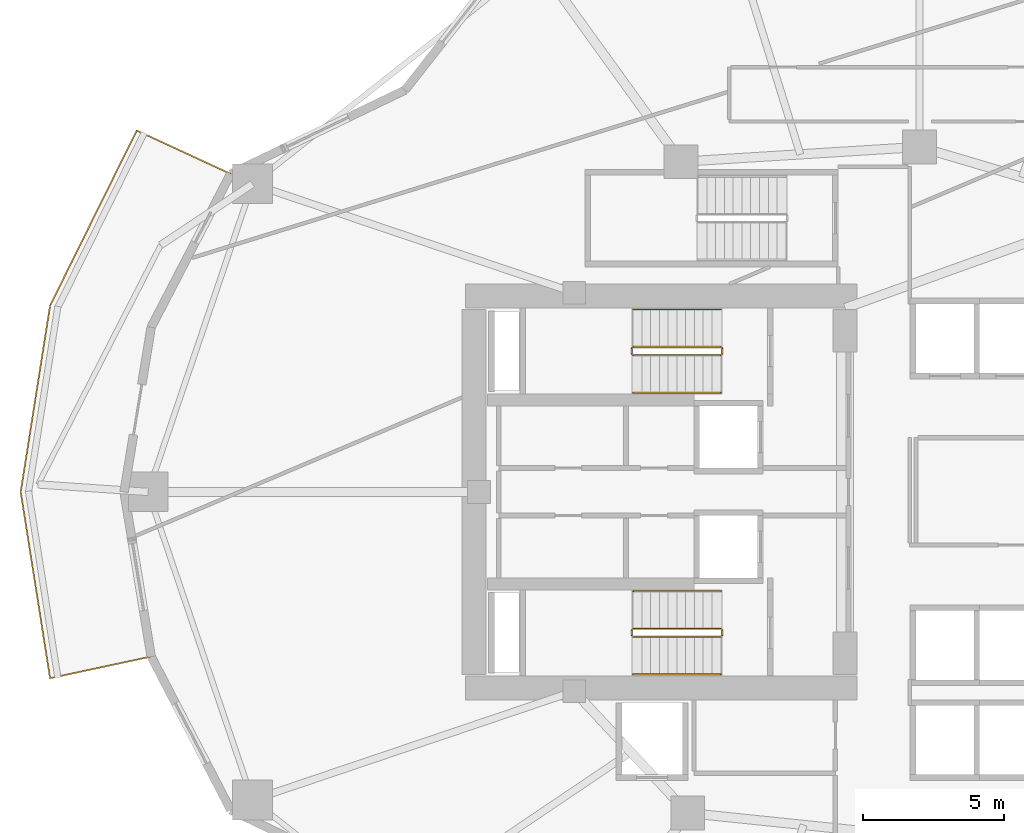
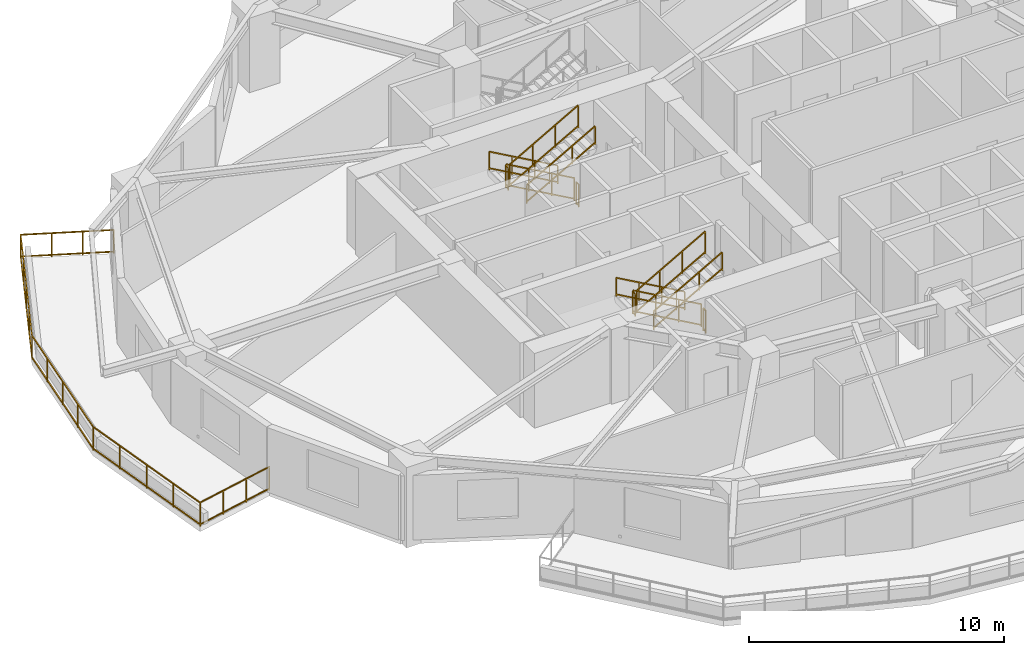
# One storey, part 11 of 14: 13 railings.
"""IFC4 building model written with IfcOpenShell, lengths in metres."""

from ifc_helpers import new_model, si_unit, direction, frame, origin, origin_2d, place, context, subcontext, project, spatial, rectangle, extrude, material, type_object, element, save


model = new_model("IFC4")

# Units and contexts
model_context = context("Model", 3, precision=1e-05, world=origin(), true_north=direction((0.0, 1.0)))
body_context = subcontext(model_context, "Body", "Model", "MODEL_VIEW")
ifc_project = project(units=[si_unit("LENGTHUNIT", "METRE"), si_unit("AREAUNIT", "SQUARE_METRE"), si_unit("VOLUMEUNIT", "CUBIC_METRE"), si_unit("PLANEANGLEUNIT", "RADIAN"), si_unit("MASSUNIT", "GRAM", prefix="KILO")], contexts=[model_context])

# Site, building, storey
site_placement = place(None, origin())
site = spatial("IfcSite", under=ifc_project, at=site_placement, CompositionType="ELEMENT")
building_placement = place(site_placement, origin())
building = spatial("IfcBuilding", under=site, at=building_placement, Name="Kolvaren Gate Tower and Convention Centre", CompositionType="ELEMENT")
storey_placement = place(building_placement, frame((0.0, 0.0, 41.89990234375)))
storey = spatial("IfcBuildingStorey", under=building, at=storey_placement, Name="L09", CompositionType="ELEMENT", Elevation=41.89990234375)

# Railings
ifc_material = material(Name="Brushed Stainless Steel Grade 316L", Category="steel")
railing_type_1 = type_object("IfcRailingType", Name="ARCH-RL-GUARD-1150", PredefinedType="GUARDRAIL", material=ifc_material)
railing_1_placement = place(storey_placement, frame((23.10009765625, 32.1298828125, 0.175048828125)))
element("IfcRailing", 1, at=railing_1_placement, inside=storey, type_object=railing_type_1, Name="L09 ST-T1 stair guard 1", PredefinedType="GUARDRAIL", context=body_context, shape_type="SweptSolid", body=[
    extrude(rectangle(XDim=0.048095703125, YDim=0.048095703125, at=origin_2d()), frame((0.0, 0.0, 1.076171875), z_axis=(-0.870830938388, 0.0, 0.491582624537), x_axis=(0.0, -1.0, 0.0)), (0.0, 0.0, 1.0), 3.559814453125),
    extrude(rectangle(XDim=0.048095703125, YDim=0.048095703125, at=origin_2d()), frame((0.0, 0.0, 0.083984375), z_axis=(-0.870830938388, 0.0, 0.491582624537), x_axis=(0.0, -1.0, 0.0)), (0.0, 0.0, 1.0), 3.559814453125),
    extrude(rectangle(XDim=0.0419921875, YDim=0.0419921875, at=origin_2d()), origin(), (0.0, 0.0, 1.0), 1.050048828125),
    extrude(rectangle(XDim=0.0419921875, YDim=0.0419921875, at=origin_2d()), frame((-3.10009765625, 0.0, 1.75)), (0.0, 0.0, 1.0), 1.050048828125),
    extrude(rectangle(XDim=0.0419921875, YDim=0.0419921875, at=origin_2d()), frame((-1.033447265625, 0.0, 0.583251953125)), (0.0, 0.0, 1.0), 1.050048828125),
    extrude(rectangle(XDim=0.0419921875, YDim=0.0419921875, at=origin_2d()), frame((-2.066650390625, 0.0, 1.166748046875)), (0.0, 0.0, 1.0), 1.050048828125),
])
railing_2_placement = place(storey_placement, frame((19.949951171875, 32.080078125, 1.925048828125)))
element("IfcRailing", 2, at=railing_2_placement, inside=storey, type_object=railing_type_1, Name="L09 ST-T1 stair guard 2", PredefinedType="GUARDRAIL", context=body_context, shape_type="SweptSolid", body=[
    extrude(rectangle(XDim=0.048095703125, YDim=0.048095703125, at=origin_2d()), frame((0.0, 0.0, 1.076171875), z_axis=(0.0, -1.0, 0.0), x_axis=(1.0, 0.0, 0.0)), (0.0, 0.0, 1.0), 0.2001953125),
    extrude(rectangle(XDim=0.048095703125, YDim=0.048095703125, at=origin_2d()), frame((0.0, 0.0, 0.083984375), z_axis=(0.0, -1.0, 0.0), x_axis=(1.0, 0.0, 0.0)), (0.0, 0.0, 1.0), 0.2001953125),
    extrude(rectangle(XDim=0.0419921875, YDim=0.0419921875, at=origin_2d()), origin(), (0.0, 0.0, 1.0), 1.050048828125),
    extrude(rectangle(XDim=0.0419921875, YDim=0.0419921875, at=origin_2d()), frame((0.0, -0.2001953125, 0.0)), (0.0, 0.0, 1.0), 1.050048828125),
])
railing_3_placement = place(storey_placement, frame((20.0, 31.830078125, 2.10009765625)))
element("IfcRailing", 3, at=railing_3_placement, inside=storey, type_object=railing_type_1, Name="L09 ST-T1 stair guard 3", PredefinedType="GUARDRAIL", context=body_context, shape_type="SweptSolid", body=[
    extrude(rectangle(XDim=0.048095703125, YDim=0.048095703125, at=origin_2d()), frame((0.0, 0.0, 1.076171875), z_axis=(0.870830938388, 0.0, 0.491582624537), x_axis=(0.0, 1.0, 0.0)), (0.0, 0.0, 1.0), 3.559814453125),
    extrude(rectangle(XDim=0.048095703125, YDim=0.048095703125, at=origin_2d()), frame((0.0, 0.0, 0.083984375), z_axis=(0.870830938388, 0.0, 0.491582624537), x_axis=(0.0, 1.0, 0.0)), (0.0, 0.0, 1.0), 3.559814453125),
    extrude(rectangle(XDim=0.0419921875, YDim=0.0419921875, at=origin_2d()), origin(), (0.0, 0.0, 1.0), 1.050048828125),
    extrude(rectangle(XDim=0.0419921875, YDim=0.0419921875, at=origin_2d()), frame((3.10009765625, 0.0, 1.75)), (0.0, 0.0, 1.0), 1.050048828125),
    extrude(rectangle(XDim=0.0419921875, YDim=0.0419921875, at=origin_2d()), frame((1.033447265625, 0.0, 0.583251953125)), (0.0, 0.0, 1.0), 1.050048828125),
    extrude(rectangle(XDim=0.0419921875, YDim=0.0419921875, at=origin_2d()), frame((2.066650390625, 0.0, 1.166748046875)), (0.0, 0.0, 1.0), 1.050048828125),
])
railing_4_placement = place(storey_placement, frame((23.14990234375, 32.080078125, 0.0)))
element("IfcRailing", 4, at=railing_4_placement, inside=storey, type_object=railing_type_1, Name="L09 ST-T1 stair guard 4", PredefinedType="GUARDRAIL", context=body_context, shape_type="SweptSolid", body=[
    extrude(rectangle(XDim=0.048095703125, YDim=0.048095703125, at=origin_2d()), frame((0.0, 0.0, 1.076171875), z_axis=(0.0, -1.0, 0.0), x_axis=(1.0, 0.0, 0.0)), (0.0, 0.0, 1.0), 0.2001953125),
    extrude(rectangle(XDim=0.048095703125, YDim=0.048095703125, at=origin_2d()), frame((0.0, 0.0, 0.083984375), z_axis=(0.0, -1.0, 0.0), x_axis=(1.0, 0.0, 0.0)), (0.0, 0.0, 1.0), 0.2001953125),
    extrude(rectangle(XDim=0.0419921875, YDim=0.0419921875, at=origin_2d()), origin(), (0.0, 0.0, 1.0), 1.050048828125),
    extrude(rectangle(XDim=0.0419921875, YDim=0.0419921875, at=origin_2d()), frame((0.0, -0.2001953125, 0.0)), (0.0, 0.0, 1.0), 1.050048828125),
])
railing_5_placement = place(storey_placement, frame((23.10009765625, 22.169921875, 0.175048828125)))
element("IfcRailing", 5, at=railing_5_placement, inside=storey, type_object=railing_type_1, Name="L09 ST-T2 stair guard 1", PredefinedType="GUARDRAIL", context=body_context, shape_type="SweptSolid", body=[
    extrude(rectangle(XDim=0.048095703125, YDim=0.048095703125, at=origin_2d()), frame((0.0, 0.0, 1.076171875), z_axis=(-0.870830938388, 0.0, 0.491582624537), x_axis=(0.0, -1.0, 0.0)), (0.0, 0.0, 1.0), 3.559814453125),
    extrude(rectangle(XDim=0.048095703125, YDim=0.048095703125, at=origin_2d()), frame((0.0, 0.0, 0.083984375), z_axis=(-0.870830938388, 0.0, 0.491582624537), x_axis=(0.0, -1.0, 0.0)), (0.0, 0.0, 1.0), 3.559814453125),
    extrude(rectangle(XDim=0.0419921875, YDim=0.0419921875, at=origin_2d()), origin(), (0.0, 0.0, 1.0), 1.050048828125),
    extrude(rectangle(XDim=0.0419921875, YDim=0.0419921875, at=origin_2d()), frame((-3.10009765625, 0.0, 1.75)), (0.0, 0.0, 1.0), 1.050048828125),
    extrude(rectangle(XDim=0.0419921875, YDim=0.0419921875, at=origin_2d()), frame((-1.033447265625, 0.0, 0.583251953125)), (0.0, 0.0, 1.0), 1.050048828125),
    extrude(rectangle(XDim=0.0419921875, YDim=0.0419921875, at=origin_2d()), frame((-2.066650390625, 0.0, 1.166748046875)), (0.0, 0.0, 1.0), 1.050048828125),
])
railing_6_placement = place(storey_placement, frame((19.949951171875, 22.1201171875, 1.925048828125)))
element("IfcRailing", 6, at=railing_6_placement, inside=storey, type_object=railing_type_1, Name="L09 ST-T2 stair guard 2", PredefinedType="GUARDRAIL", context=body_context, shape_type="SweptSolid", body=[
    extrude(rectangle(XDim=0.048095703125, YDim=0.048095703125, at=origin_2d()), frame((0.0, 0.0, 1.076171875), z_axis=(0.0, -1.0, 0.0), x_axis=(1.0, 0.0, 0.0)), (0.0, 0.0, 1.0), 0.2001953125),
    extrude(rectangle(XDim=0.048095703125, YDim=0.048095703125, at=origin_2d()), frame((0.0, 0.0, 0.083984375), z_axis=(0.0, -1.0, 0.0), x_axis=(1.0, 0.0, 0.0)), (0.0, 0.0, 1.0), 0.2001953125),
    extrude(rectangle(XDim=0.0419921875, YDim=0.0419921875, at=origin_2d()), origin(), (0.0, 0.0, 1.0), 1.050048828125),
    extrude(rectangle(XDim=0.0419921875, YDim=0.0419921875, at=origin_2d()), frame((0.0, -0.2001953125, 0.0)), (0.0, 0.0, 1.0), 1.050048828125),
])
railing_7_placement = place(storey_placement, frame((20.0, 21.8701171875, 2.10009765625)))
element("IfcRailing", 7, at=railing_7_placement, inside=storey, type_object=railing_type_1, Name="L09 ST-T2 stair guard 3", PredefinedType="GUARDRAIL", context=body_context, shape_type="SweptSolid", body=[
    extrude(rectangle(XDim=0.048095703125, YDim=0.048095703125, at=origin_2d()), frame((0.0, 0.0, 1.076171875), z_axis=(0.870830938388, 0.0, 0.491582624537), x_axis=(0.0, 1.0, 0.0)), (0.0, 0.0, 1.0), 3.559814453125),
    extrude(rectangle(XDim=0.048095703125, YDim=0.048095703125, at=origin_2d()), frame((0.0, 0.0, 0.083984375), z_axis=(0.870830938388, 0.0, 0.491582624537), x_axis=(0.0, 1.0, 0.0)), (0.0, 0.0, 1.0), 3.559814453125),
    extrude(rectangle(XDim=0.0419921875, YDim=0.0419921875, at=origin_2d()), origin(), (0.0, 0.0, 1.0), 1.050048828125),
    extrude(rectangle(XDim=0.0419921875, YDim=0.0419921875, at=origin_2d()), frame((3.10009765625, 0.0, 1.75)), (0.0, 0.0, 1.0), 1.050048828125),
    extrude(rectangle(XDim=0.0419921875, YDim=0.0419921875, at=origin_2d()), frame((1.033447265625, 0.0, 0.583251953125)), (0.0, 0.0, 1.0), 1.050048828125),
    extrude(rectangle(XDim=0.0419921875, YDim=0.0419921875, at=origin_2d()), frame((2.066650390625, 0.0, 1.166748046875)), (0.0, 0.0, 1.0), 1.050048828125),
])
railing_8_placement = place(storey_placement, frame((23.14990234375, 22.1201171875, 0.0)))
element("IfcRailing", 8, at=railing_8_placement, inside=storey, type_object=railing_type_1, Name="L09 ST-T2 stair guard 4", PredefinedType="GUARDRAIL", context=body_context, shape_type="SweptSolid", body=[
    extrude(rectangle(XDim=0.048095703125, YDim=0.048095703125, at=origin_2d()), frame((0.0, 0.0, 1.076171875), z_axis=(0.0, -1.0, 0.0), x_axis=(1.0, 0.0, 0.0)), (0.0, 0.0, 1.0), 0.2001953125),
    extrude(rectangle(XDim=0.048095703125, YDim=0.048095703125, at=origin_2d()), frame((0.0, 0.0, 0.083984375), z_axis=(0.0, -1.0, 0.0), x_axis=(1.0, 0.0, 0.0)), (0.0, 0.0, 1.0), 0.2001953125),
    extrude(rectangle(XDim=0.0419921875, YDim=0.0419921875, at=origin_2d()), origin(), (0.0, 0.0, 1.0), 1.050048828125),
    extrude(rectangle(XDim=0.0419921875, YDim=0.0419921875, at=origin_2d()), frame((0.0, -0.2001953125, 0.0)), (0.0, 0.0, 1.0), 1.050048828125),
])
railing_9_placement = place(storey_placement, frame((5.76806640625, 38.25, 0.0)))
element("IfcRailing", 9, at=railing_9_placement, inside=storey, type_object=railing_type_1, Name="Tower L09 Terrace Perimeter Guardrail GR-2", PredefinedType="GUARDRAIL", context=body_context, shape_type="SweptSolid", body=[
    extrude(rectangle(XDim=0.048095703125, YDim=0.048095703125, at=origin_2d()), frame((-0.025390625, 0.01171875, 1.1259765625), z_axis=(-0.907846116663, 0.419303503993, 0.0), x_axis=(-0.419303503993, -0.907846116663, 0.0)), (0.0, 0.0, 1.0), 3.60400390625),
    extrude(rectangle(XDim=0.048095703125, YDim=0.048095703125, at=origin_2d()), frame((-0.025390625, 0.01171875, 0.083984375), z_axis=(-0.907846116663, 0.419303503993, 0.0), x_axis=(-0.419303503993, -0.907846116663, 0.0)), (0.0, 0.0, 1.0), 3.60400390625),
    extrude(rectangle(XDim=0.048095703125, YDim=0.048095703125, at=origin_2d()), frame((-3.335205078125, 1.509521484375, 1.1259765625), z_axis=(-0.443578479433, -0.8962355341, 0.0), x_axis=(0.8962355341, -0.443578479433, 0.0)), (0.0, 0.0, 1.0), 6.855224609375),
    extrude(rectangle(XDim=0.048095703125, YDim=0.048095703125, at=origin_2d()), frame((-3.335205078125, 1.509521484375, 0.083984375), z_axis=(-0.443578479433, -0.8962355341, 0.0), x_axis=(0.8962355341, -0.443578479433, 0.0)), (0.0, 0.0, 1.0), 6.855224609375),
    extrude(rectangle(XDim=0.048095703125, YDim=0.048095703125, at=origin_2d()), frame((-6.392822265625, -4.68701171875, 1.1259765625), z_axis=(-0.155806612617, -0.987787578108, 0.0), x_axis=(0.987787578108, -0.155806612617, 0.0)), (0.0, 0.0, 1.0), 6.615966796875),
    extrude(rectangle(XDim=0.048095703125, YDim=0.048095703125, at=origin_2d()), frame((-6.392822265625, -4.68701171875, 0.083984375), z_axis=(-0.155806612617, -0.987787578108, 0.0), x_axis=(0.987787578108, -0.155806612617, 0.0)), (0.0, 0.0, 1.0), 6.615966796875),
    extrude(rectangle(XDim=0.048095703125, YDim=0.048095703125, at=origin_2d()), frame((-7.423583984375, -11.277587890625, 1.1259765625), z_axis=(0.155806612617, -0.987787578108, 0.0), x_axis=(0.987787578108, 0.155806612617, 0.0)), (0.0, 0.0, 1.0), 6.615966796875),
    extrude(rectangle(XDim=0.048095703125, YDim=0.048095703125, at=origin_2d()), frame((-7.423583984375, -11.277587890625, 0.083984375), z_axis=(0.155806612617, -0.987787578108, 0.0), x_axis=(0.987787578108, 0.155806612617, 0.0)), (0.0, 0.0, 1.0), 6.615966796875),
    extrude(rectangle(XDim=0.048095703125, YDim=0.048095703125, at=origin_2d()), frame((-6.361083984375, -17.834716796875, 1.1259765625), z_axis=(0.977788745232, 0.209592866525, 0.0), x_axis=(-0.209592866525, 0.977788745232, 0.0)), (0.0, 0.0, 1.0), 3.603759765625),
    extrude(rectangle(XDim=0.048095703125, YDim=0.048095703125, at=origin_2d()), frame((-6.361083984375, -17.834716796875, 0.083984375), z_axis=(0.977788745232, 0.209592866525, 0.0), x_axis=(-0.209592866525, 0.977788745232, 0.0)), (0.0, 0.0, 1.0), 3.603759765625),
    extrude(rectangle(XDim=0.0419921875, YDim=0.0419921875, at=origin_2d()), origin(), (0.0, 0.0, 1.0), 1.14990234375),
    extrude(rectangle(XDim=0.0419921875, YDim=0.0419921875, at=origin_2d()), frame((-3.32275390625, 1.53466796875, 0.0)), (0.0, 0.0, 1.0), 1.14990234375),
    extrude(rectangle(XDim=0.0419921875, YDim=0.0419921875, at=origin_2d()), frame((-1.107666015625, 0.511474609375, 0.0)), (0.0, 0.0, 1.0), 1.099853515625),
    extrude(rectangle(XDim=0.0419921875, YDim=0.0419921875, at=origin_2d()), frame((-2.215087890625, 1.023193359375, 0.0)), (0.0, 0.0, 1.0), 1.099853515625),
    extrude(rectangle(XDim=0.0419921875, YDim=0.0419921875, at=origin_2d()), frame((-6.388427734375, -4.659423828125, 0.0)), (0.0, 0.0, 1.0), 1.14990234375),
    extrude(rectangle(XDim=0.0419921875, YDim=0.0419921875, at=origin_2d()), frame((-4.089111328125, -0.013916015625, 0.0)), (0.0, 0.0, 1.0), 1.099853515625),
    extrude(rectangle(XDim=0.0419921875, YDim=0.0419921875, at=origin_2d()), frame((-4.85546875, -1.5625, 0.0)), (0.0, 0.0, 1.0), 1.099853515625),
    extrude(rectangle(XDim=0.0419921875, YDim=0.0419921875, at=origin_2d()), frame((-5.6220703125, -3.11083984375, 0.0)), (0.0, 0.0, 1.0), 1.099853515625),
    extrude(rectangle(XDim=0.0419921875, YDim=0.0419921875, at=origin_2d()), frame((-7.427978515625, -11.25, 0.0)), (0.0, 0.0, 1.0), 1.14990234375),
    extrude(rectangle(XDim=0.0419921875, YDim=0.0419921875, at=origin_2d()), frame((-6.6484375, -6.30712890625, 0.0)), (0.0, 0.0, 1.0), 1.099853515625),
    extrude(rectangle(XDim=0.0419921875, YDim=0.0419921875, at=origin_2d()), frame((-6.908203125, -7.95458984375, 0.0)), (0.0, 0.0, 1.0), 1.099853515625),
    extrude(rectangle(XDim=0.0419921875, YDim=0.0419921875, at=origin_2d()), frame((-7.16796875, -9.602294921875, 0.0)), (0.0, 0.0, 1.0), 1.099853515625),
    extrude(rectangle(XDim=0.0419921875, YDim=0.0419921875, at=origin_2d()), frame((-6.388427734375, -17.840576171875, 0.0)), (0.0, 0.0, 1.0), 1.14990234375),
    extrude(rectangle(XDim=0.0419921875, YDim=0.0419921875, at=origin_2d()), frame((-7.16796875, -12.897705078125, 0.0)), (0.0, 0.0, 1.0), 1.099853515625),
    extrude(rectangle(XDim=0.0419921875, YDim=0.0419921875, at=origin_2d()), frame((-6.908203125, -14.54541015625, 0.0)), (0.0, 0.0, 1.0), 1.099853515625),
    extrude(rectangle(XDim=0.0419921875, YDim=0.0419921875, at=origin_2d()), frame((-6.6484375, -16.19287109375, 0.0)), (0.0, 0.0, 1.0), 1.099853515625),
    extrude(rectangle(XDim=0.0419921875, YDim=0.0419921875, at=origin_2d()), frame((-2.809814453125, -17.073486328125, 0.0)), (0.0, 0.0, 1.0), 1.14990234375),
    extrude(rectangle(XDim=0.0419921875, YDim=0.0419921875, at=origin_2d()), frame((-5.195556640625, -17.5849609375, 0.0)), (0.0, 0.0, 1.0), 1.099853515625),
    extrude(rectangle(XDim=0.0419921875, YDim=0.0419921875, at=origin_2d()), frame((-4.002685546875, -17.3291015625, 0.0)), (0.0, 0.0, 1.0), 1.099853515625),
])
railing_type_2 = type_object("IfcRailingType", Name="ARCH-RL-HANDRAIL-920", PredefinedType="HANDRAIL", material=ifc_material)
railing_10_placement = place(storey_placement, frame((23.10009765625, 33.449951171875, 0.175048828125)))
element("IfcRailing", 10, at=railing_10_placement, inside=storey, type_object=railing_type_2, Name="L09 ST-T1 stair handrail 1", PredefinedType="HANDRAIL", context=body_context, shape_type="SweptSolid", body=[
    extrude(rectangle(XDim=0.048095703125, YDim=0.048095703125, at=origin_2d()), frame((0.0, 0.0, 0.8759765625), z_axis=(-0.870830938388, 0.0, 0.491582624537), x_axis=(0.0, -1.0, 0.0)), (0.0, 0.0, 1.0), 3.559814453125),
    extrude(rectangle(XDim=0.048095703125, YDim=0.048095703125, at=origin_2d()), frame((0.0, 0.0, 0.083984375), z_axis=(-0.870830938388, 0.0, 0.491582624537), x_axis=(0.0, -1.0, 0.0)), (0.0, 0.0, 1.0), 3.559814453125),
    extrude(rectangle(XDim=0.0419921875, YDim=0.0419921875, at=origin_2d()), origin(), (0.0, 0.0, 1.0), 0.849853515625),
    extrude(rectangle(XDim=0.0419921875, YDim=0.0419921875, at=origin_2d()), frame((-3.10009765625, 0.0, 1.75)), (0.0, 0.0, 1.0), 0.849853515625),
    extrude(rectangle(XDim=0.0419921875, YDim=0.0419921875, at=origin_2d()), frame((-1.033447265625, 0.0, 0.583251953125)), (0.0, 0.0, 1.0), 0.849853515625),
    extrude(rectangle(XDim=0.0419921875, YDim=0.0419921875, at=origin_2d()), frame((-2.066650390625, 0.0, 1.166748046875)), (0.0, 0.0, 1.0), 0.849853515625),
])
railing_11_placement = place(storey_placement, frame((20.0, 30.510009765625, 2.10009765625)))
element("IfcRailing", 11, at=railing_11_placement, inside=storey, type_object=railing_type_2, Name="L09 ST-T1 stair handrail 2", PredefinedType="HANDRAIL", context=body_context, shape_type="SweptSolid", body=[
    extrude(rectangle(XDim=0.048095703125, YDim=0.048095703125, at=origin_2d()), frame((0.0, 0.0, 0.8759765625), z_axis=(0.870830938388, 0.0, 0.491582624537), x_axis=(0.0, 1.0, 0.0)), (0.0, 0.0, 1.0), 3.559814453125),
    extrude(rectangle(XDim=0.048095703125, YDim=0.048095703125, at=origin_2d()), frame((0.0, 0.0, 0.083984375), z_axis=(0.870830938388, 0.0, 0.491582624537), x_axis=(0.0, 1.0, 0.0)), (0.0, 0.0, 1.0), 3.559814453125),
    extrude(rectangle(XDim=0.0419921875, YDim=0.0419921875, at=origin_2d()), origin(), (0.0, 0.0, 1.0), 0.849853515625),
    extrude(rectangle(XDim=0.0419921875, YDim=0.0419921875, at=origin_2d()), frame((3.10009765625, 0.0, 1.75)), (0.0, 0.0, 1.0), 0.849853515625),
    extrude(rectangle(XDim=0.0419921875, YDim=0.0419921875, at=origin_2d()), frame((1.033447265625, 0.0, 0.583251953125)), (0.0, 0.0, 1.0), 0.849853515625),
    extrude(rectangle(XDim=0.0419921875, YDim=0.0419921875, at=origin_2d()), frame((2.066650390625, 0.0, 1.166748046875)), (0.0, 0.0, 1.0), 0.849853515625),
])
railing_12_placement = place(storey_placement, frame((23.10009765625, 23.489990234375, 0.175048828125)))
element("IfcRailing", 12, at=railing_12_placement, inside=storey, type_object=railing_type_2, Name="L09 ST-T2 stair handrail 1", PredefinedType="HANDRAIL", context=body_context, shape_type="SweptSolid", body=[
    extrude(rectangle(XDim=0.048095703125, YDim=0.048095703125, at=origin_2d()), frame((0.0, 0.0, 0.8759765625), z_axis=(-0.870830938388, 0.0, 0.491582624537), x_axis=(0.0, -1.0, 0.0)), (0.0, 0.0, 1.0), 3.559814453125),
    extrude(rectangle(XDim=0.048095703125, YDim=0.048095703125, at=origin_2d()), frame((0.0, 0.0, 0.083984375), z_axis=(-0.870830938388, 0.0, 0.491582624537), x_axis=(0.0, -1.0, 0.0)), (0.0, 0.0, 1.0), 3.559814453125),
    extrude(rectangle(XDim=0.0419921875, YDim=0.0419921875, at=origin_2d()), origin(), (0.0, 0.0, 1.0), 0.849853515625),
    extrude(rectangle(XDim=0.0419921875, YDim=0.0419921875, at=origin_2d()), frame((-3.10009765625, 0.0, 1.75)), (0.0, 0.0, 1.0), 0.849853515625),
    extrude(rectangle(XDim=0.0419921875, YDim=0.0419921875, at=origin_2d()), frame((-1.033447265625, 0.0, 0.583251953125)), (0.0, 0.0, 1.0), 0.849853515625),
    extrude(rectangle(XDim=0.0419921875, YDim=0.0419921875, at=origin_2d()), frame((-2.066650390625, 0.0, 1.166748046875)), (0.0, 0.0, 1.0), 0.849853515625),
])
railing_13_placement = place(storey_placement, frame((20.0, 20.550048828125, 2.10009765625)))
element("IfcRailing", 13, at=railing_13_placement, inside=storey, type_object=railing_type_2, Name="L09 ST-T2 stair handrail 2", PredefinedType="HANDRAIL", context=body_context, shape_type="SweptSolid", body=[
    extrude(rectangle(XDim=0.048095703125, YDim=0.048095703125, at=origin_2d()), frame((0.0, 0.0, 0.8759765625), z_axis=(0.870830938388, 0.0, 0.491582624537), x_axis=(0.0, 1.0, 0.0)), (0.0, 0.0, 1.0), 3.559814453125),
    extrude(rectangle(XDim=0.048095703125, YDim=0.048095703125, at=origin_2d()), frame((0.0, 0.0, 0.083984375), z_axis=(0.870830938388, 0.0, 0.491582624537), x_axis=(0.0, 1.0, 0.0)), (0.0, 0.0, 1.0), 3.559814453125),
    extrude(rectangle(XDim=0.0419921875, YDim=0.0419921875, at=origin_2d()), origin(), (0.0, 0.0, 1.0), 0.849853515625),
    extrude(rectangle(XDim=0.0419921875, YDim=0.0419921875, at=origin_2d()), frame((3.10009765625, 0.0, 1.75)), (0.0, 0.0, 1.0), 0.849853515625),
    extrude(rectangle(XDim=0.0419921875, YDim=0.0419921875, at=origin_2d()), frame((1.033447265625, 0.0, 0.583251953125)), (0.0, 0.0, 1.0), 0.849853515625),
    extrude(rectangle(XDim=0.0419921875, YDim=0.0419921875, at=origin_2d()), frame((2.066650390625, 0.0, 1.166748046875)), (0.0, 0.0, 1.0), 0.849853515625),
])

save(model, "model.ifc")
